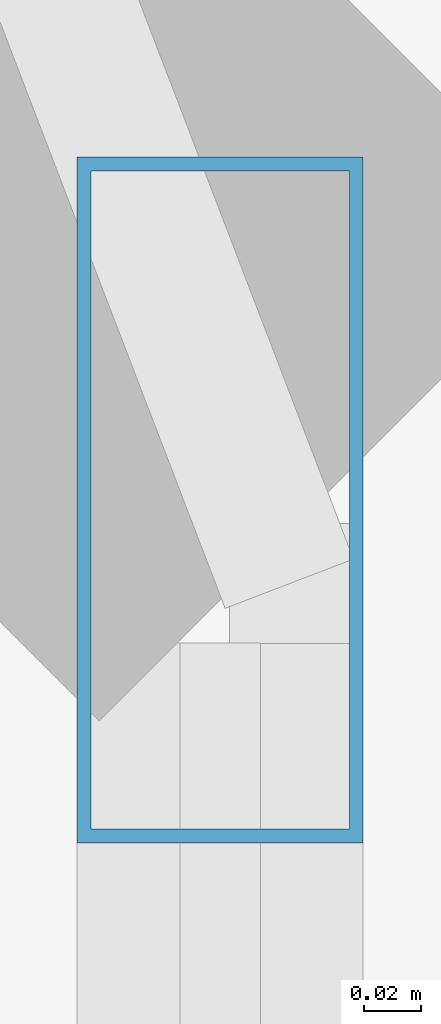
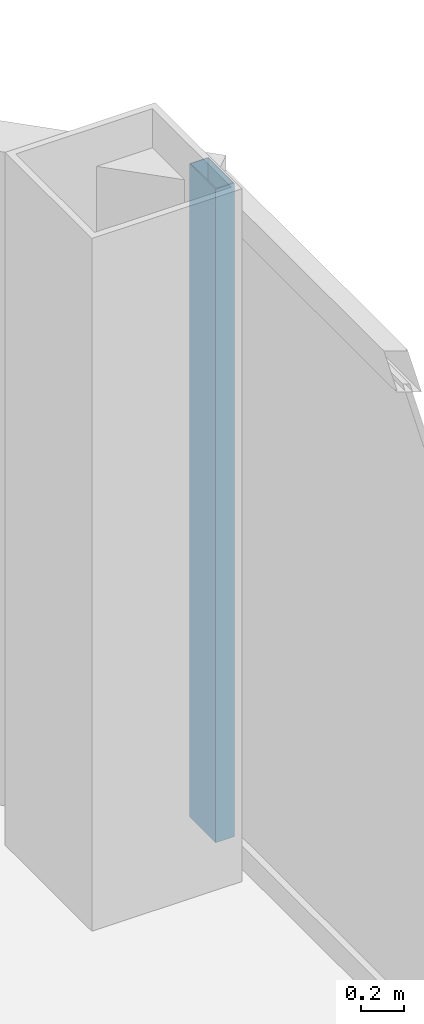
# One storey, part 16 of 29: 1 member, 1 element without a shape of its own.
"""IFC4 building model written with IfcOpenShell, lengths in metres."""

from ifc_helpers import new_model, si_unit, direction, frame, origin, origin_2d, place, context, subcontext, project, spatial, hollow_rectangle, extrude, material, layer, layer_set, material_profile, profile_set, type_object, element, aggregate, save


model = new_model("IFC4")

# Units and contexts
model_context = context("Model", 3, precision=1e-05, world=origin(), true_north=direction((0.0, 1.0)))
body_context = subcontext(model_context, "Body", "Model", "MODEL_VIEW")
ifc_project = project(units=[si_unit("LENGTHUNIT", "METRE"), si_unit("AREAUNIT", "SQUARE_METRE"), si_unit("VOLUMEUNIT", "CUBIC_METRE"), si_unit("PLANEANGLEUNIT", "RADIAN"), si_unit("MASSUNIT", "GRAM", prefix="KILO")], contexts=[model_context])

# Site, building, storey
site_placement = place(None, origin())
site = spatial("IfcSite", under=ifc_project, at=site_placement, CompositionType="ELEMENT")
building_placement = place(site_placement, origin())
building = spatial("IfcBuilding", under=site, at=building_placement, Name="Khorvyn Point Tower", CompositionType="ELEMENT")
storey_placement = place(building_placement, frame((0.0, 0.0, 85.199951171875)))
storey = spatial("IfcBuildingStorey", under=building, at=storey_placement, Name="L21", CompositionType="ELEMENT", Elevation=85.199951171875)

# Curtain wall, member
ifc_material_1 = material(Name="Anodised aluminium 6063-T6 and laminated Low-E glass", Category="aluminium")
ifc_layer = layer(ifc_material_1, 0.18994140625)
ifc_layer_set = layer_set([ifc_layer], Name="Stick-Built Finned Residential Curtain Wall CW-SYS-02")
curtain_wall_type = type_object("IfcCurtainWallType", Name="Stick-Built Finned Residential Curtain Wall CW-SYS-02", PredefinedType="NOTDEFINED", material=ifc_layer_set)
curtain_wall_placement = place(storey_placement, origin())
curtain_wall = element("IfcCurtainWall", 1, at=curtain_wall_placement, inside=storey, type_object=curtain_wall_type, Name="Curtain Wall", PredefinedType="NOTDEFINED")
ifc_material_2 = material(Name="Anodised aluminium 6063-T6", Category="aluminium")
ifc_material_profile = material_profile(ifc_material_2, hollow_rectangle(XDim=0.10009765625, YDim=0.239990234375, WallThickness=0.0048828125, at=origin_2d()))
ifc_profile_set = profile_set([ifc_material_profile], Name="Anodised aluminium 6063-T6 ALU-MUL-100x240")
member_type = type_object("IfcMemberType", Name="Anodised Aluminium 6063-T6 Mullion ALU-MUL-100x240", PredefinedType="MULLION", material=ifc_profile_set)
member_placement = place(storey_placement, frame((22.14990234375, 26.300048828125, 0.0), z_axis=(0.0, 0.0, 1.0), x_axis=(1.0, 0.0, 0.0)))
member = element("IfcMember", 2, at=member_placement, type_object=member_type, Name="Transom", PredefinedType="MULLION", context=body_context, shape_type="SweptSolid", body=[
    extrude(hollow_rectangle(XDim=0.10009765625, YDim=0.239990234375, WallThickness=0.0048828125, at=origin_2d()), origin(), (0.0, 0.0, 1.0), 3.679931640625),
])
aggregate(curtain_wall, [member])

save(model, "model.ifc")
